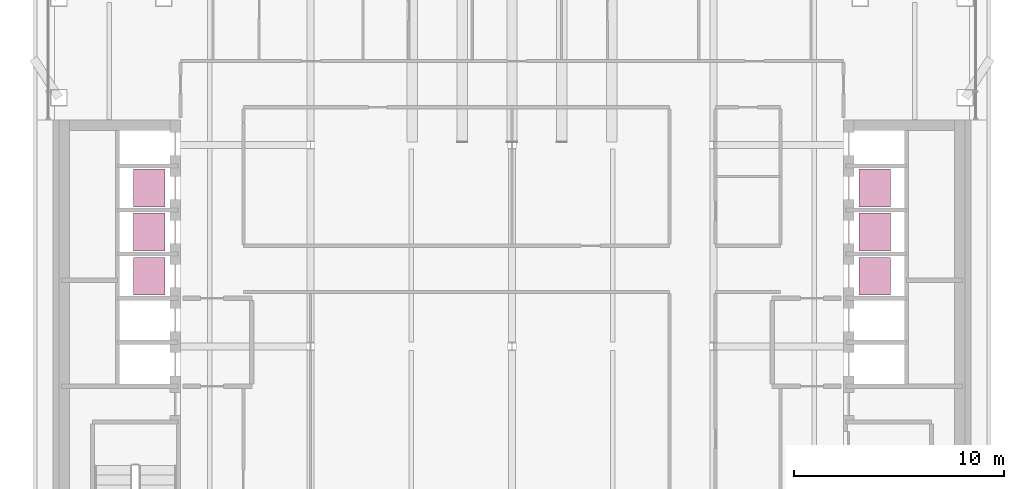
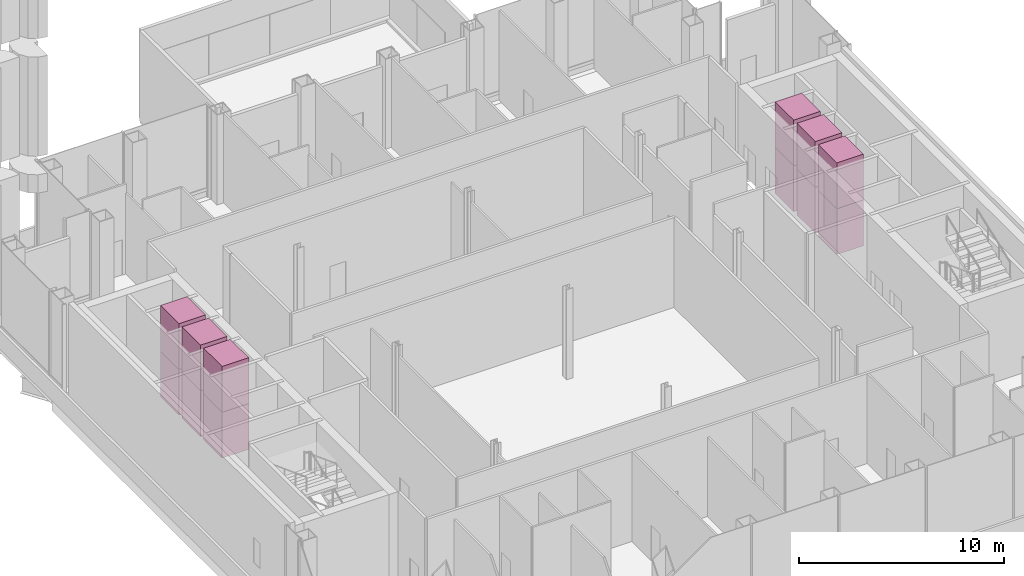
# One storey, part 22 of 22: 12 transport elements.
"""IFC4 building model written with IfcOpenShell, lengths in metres."""

from ifc_helpers import new_model, si_unit, direction, frame, origin, origin_2d, place, context, subcontext, project, spatial, rectangle, extrude, material, type_object, element, save


model = new_model("IFC4")

# Units and contexts
model_context = context("Model", 3, precision=1e-05, world=origin(), true_north=direction((0.0, 1.0)))
body_context = subcontext(model_context, "Body", "Model", "MODEL_VIEW")
ifc_project = project(units=[si_unit("LENGTHUNIT", "METRE"), si_unit("AREAUNIT", "SQUARE_METRE"), si_unit("VOLUMEUNIT", "CUBIC_METRE"), si_unit("PLANEANGLEUNIT", "RADIAN"), si_unit("MASSUNIT", "GRAM", prefix="KILO")], contexts=[model_context])

# Site, building, storey
site_placement = place(None, origin())
site = spatial("IfcSite", under=ifc_project, at=site_placement, CompositionType="ELEMENT")
building_placement = place(site_placement, origin())
building = spatial("IfcBuilding", under=site, at=building_placement, Name="Cobrizo Arcos Hotel Tower", CompositionType="ELEMENT")
storey_placement = place(building_placement, frame((0.0, 0.0, 142.5)))
storey = spatial("IfcBuildingStorey", under=building, at=storey_placement, Name="L36", CompositionType="ELEMENT", Elevation=142.5)

# Transport elements
ifc_material = material(Name="Stainless steel car", Category="steel")
transport_element_type = type_object("IfcTransportElementType", Name="Lift car High 1.8x1.5", PredefinedType="ELEVATOR", material=ifc_material)
for number, where, z_axis, x_axis, name in (
    (1, (-17.300048828125, 3.35009765625, 0.0), (0.0, 0.0, 1.0), (1.0, 0.0, 0.0), "High-rise passenger lift W1"),
    (2, (-17.300048828125, 3.35009765625, 2.724853515625), (0.0, 0.0, 1.0), (1.0, 0.0, 0.0), "High-rise passenger lift W1"),
    (3, (-17.300048828125, 5.449951171875, 0.0), (0.0, 0.0, 1.0), (1.0, 0.0, 0.0), "High-rise passenger lift W2"),
    (4, (-17.300048828125, 5.449951171875, 2.724853515625), (0.0, 0.0, 1.0), (1.0, 0.0, 0.0), "High-rise passenger lift W2"),
    (5, (-17.300048828125, 7.550048828125, 0.0), (0.0, 0.0, 1.0), (1.0, 0.0, 0.0), "High-rise passenger lift W3"),
    (6, (-17.300048828125, 7.550048828125, 2.724853515625), (0.0, 0.0, 1.0), (1.0, 0.0, 0.0), "High-rise passenger lift W3"),
    (7, (17.300048828125, 3.35009765625, 0.0), (0.0, 0.0, 1.0), (1.0, 0.0, 0.0), "High-rise passenger lift E1"),
    (8, (17.300048828125, 3.35009765625, 2.724853515625), (0.0, 0.0, 1.0), (1.0, 0.0, 0.0), "High-rise passenger lift E1"),
    (9, (17.300048828125, 5.449951171875, 0.0), (0.0, 0.0, 1.0), (1.0, 0.0, 0.0), "High-rise passenger lift E2"),
    (10, (17.300048828125, 5.449951171875, 2.724853515625), (0.0, 0.0, 1.0), (1.0, 0.0, 0.0), "High-rise passenger lift E2"),
    (11, (17.300048828125, 7.550048828125, 0.0), (0.0, 0.0, 1.0), (1.0, 0.0, 0.0), "High-rise passenger lift E3"),
    (12, (17.300048828125, 7.550048828125, 2.724853515625), (0.0, 0.0, 1.0), (1.0, 0.0, 0.0), "High-rise passenger lift E3"),
):
    element("IfcTransportElement", number, at=place(storey_placement, frame(where, z_axis=z_axis, x_axis=x_axis)), inside=storey, type_object=transport_element_type, Name=name, PredefinedType="ELEVATOR", context=body_context, shape_type="SweptSolid", body=[
        extrude(rectangle(XDim=1.5, YDim=1.800048828125, at=origin_2d()), origin(), (0.0, 0.0, 1.0), 2.72509765625),
    ])

save(model, "model.ifc")
